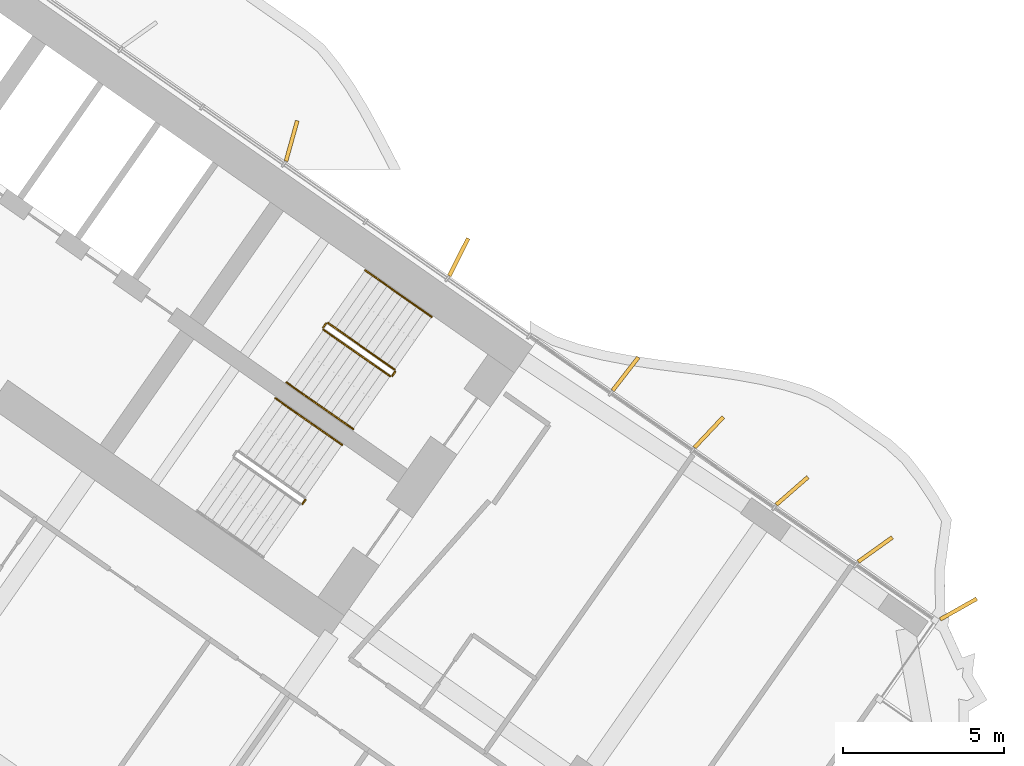
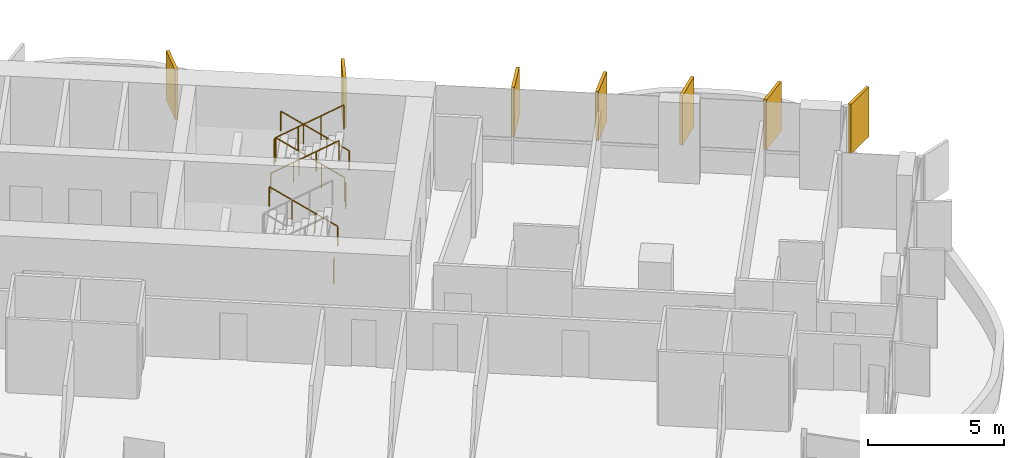
# One storey, part 23 of 23: 8 railings, 7 shading devices.
"""IFC4 building model written with IfcOpenShell, lengths in metres."""

from ifc_helpers import new_model, si_unit, direction, frame, origin, origin_2d, place, context, subcontext, project, spatial, rectangle, circle, extrude, material, layer, layer_set, type_object, element, save


model = new_model("IFC4")

# Units and contexts
model_context = context("Model", 3, precision=1e-05, world=origin(), true_north=direction((0.0, 1.0)))
body_context = subcontext(model_context, "Body", "Model", "MODEL_VIEW")
ifc_project = project(units=[si_unit("LENGTHUNIT", "METRE"), si_unit("AREAUNIT", "SQUARE_METRE"), si_unit("VOLUMEUNIT", "CUBIC_METRE"), si_unit("PLANEANGLEUNIT", "RADIAN"), si_unit("MASSUNIT", "GRAM", prefix="KILO")], contexts=[model_context])

# Site, building, storey
site_placement = place(None, origin())
site = spatial("IfcSite", under=ifc_project, at=site_placement, CompositionType="ELEMENT")
building_placement = place(site_placement, origin())
building = spatial("IfcBuilding", under=site, at=building_placement, Name="Tel Ilan Convention Tower", CompositionType="ELEMENT")
storey_placement = place(building_placement, frame((0.0, 0.0, 79.699951171875)))
storey = spatial("IfcBuildingStorey", under=building, at=storey_placement, Name="L15", CompositionType="ELEMENT", Elevation=79.699951171875)

# Shading devices
ifc_material_1 = material(Name="Aluminium, bronze anodised", Category="aluminium")
ifc_layer = layer(ifc_material_1, 0.1201171875)
ifc_layer_set = layer_set([ifc_layer], Name="FIN BRONZE 1300x120")
shading_device_type = type_object("IfcShadingDeviceType", Name="FIN BRONZE 1300x120", PredefinedType="USERDEFINED", material=ifc_layer_set)
for number, where, z_axis, x_axis, name in (
    (1, (25.665771484375, -4.35791015625, 1.10009765625), (0.0, 0.0, 1.0), (0.448799180206, 0.893632640321, 0.0), "FIN"),
    (2, (20.48095703125, -0.750732421875, 1.10009765625), (0.0, 0.0, 1.0), (0.268172612768, 0.963370878614, 0.0), "FIN"),
    (3, (41.176025390625, -15.281005859375, 1.10009765625), (0.0, 0.0, 1.0), (0.870832754082, 0.491579408049, 0.0), "FIN"),
    (4, (38.59375, -13.43359375, 1.10009765625), (0.0, 0.0, 1.0), (0.813552070258, 0.581492071294, 0.0), "FIN"),
    (5, (36.0146484375, -11.6123046875, 1.10009765625), (0.0, 0.0, 1.0), (0.753435896329, 0.657521368568, 0.0), "FIN"),
    (6, (33.4306640625, -9.795166015625, 1.10009765625), (0.0, 0.0, 1.0), (0.686241637865, 0.727373641577, 0.0), "FIN"),
    (7, (30.842529296875, -7.982666015625, 1.10009765625), (0.0, 0.0, 1.0), (0.612600545196, 0.790392669516, 0.0), "FIN"),
):
    element("IfcShadingDevice", number, at=place(storey_placement, frame(where, z_axis=z_axis, x_axis=x_axis)), inside=storey, type_object=shading_device_type, Name=name, ObjectType="FIN", PredefinedType="USERDEFINED", context=body_context, shape_type="SweptSolid", body=[
        extrude(rectangle(XDim=1.300048828125, YDim=0.1201171875, at=origin_2d()), origin(), (0.0, 0.0, 1.0), 2.219970703125),
    ])

# Railings
ifc_material_2 = material(Name="Stainless Steel Grade 316", Category="steel")
railing_type_1 = type_object("IfcRailingType", Name="Stainless Steel Stair Guard 1100 mm", PredefinedType="GUARDRAIL", material=ifc_material_2)
railing_1_placement = place(storey_placement, frame((23.6787109375, -7.8515625, 0.179931640625)))
element("IfcRailing", 8, at=railing_1_placement, inside=storey, type_object=railing_type_1, Name="L15 S3 stair guard 1", PredefinedType="GUARDRAIL", context=body_context, shape_type="SweptSolid", body=[
    extrude(circle(Radius=0.02392578125, at=origin_2d()), frame((0.0, 0.0, 1.076171875), z_axis=(-0.689013013563, 0.482512838948, 0.540779462804), x_axis=(-0.573624882958, -0.819118119475, 0.0)), (0.0, 0.0, 1.0), 2.995849609375),
    extrude(circle(Radius=0.02099609375, at=origin_2d()), origin(), (0.0, 0.0, 1.0), 1.052001953125),
    extrude(circle(Radius=0.02099609375, at=origin_2d()), frame((-0.68798828125, 0.48193359375, 0.5400390625)), (0.0, 0.0, 1.0), 1.052001953125),
    extrude(circle(Radius=0.02099609375, at=origin_2d()), frame((-1.376220703125, 0.963623046875, 1.080078125)), (0.0, 0.0, 1.0), 1.052001953125),
    extrude(circle(Radius=0.02099609375, at=origin_2d()), frame((-2.064208984375, 1.445556640625, 1.6201171875)), (0.0, 0.0, 1.0), 1.052001953125),
])
railing_2_placement = place(storey_placement, frame((21.544921875, -6.41845703125, 1.800048828125)))
element("IfcRailing", 9, at=railing_2_placement, inside=storey, type_object=railing_type_1, Name="L15 S3 stair guard 2", PredefinedType="GUARDRAIL", context=body_context, shape_type="SweptSolid", body=[
    extrude(circle(Radius=0.02392578125, at=origin_2d()), frame((0.0, 0.0, 1.076171875), z_axis=(-0.573353020881, -0.819308436089, 0.0), x_axis=(0.819308436089, -0.573353020881, 0.0)), (0.0, 0.0, 1.0), 0.14990234375),
    extrude(circle(Radius=0.02099609375, at=origin_2d()), origin(), (0.0, 0.0, 1.0), 1.052001953125),
    extrude(circle(Radius=0.02099609375, at=origin_2d()), frame((-0.0859375, -0.122802734375, 0.0)), (0.0, 0.0, 1.0), 1.052001953125),
])
railing_3_placement = place(storey_placement, frame((21.47119140625, -6.61083984375, 1.97998046875)))
element("IfcRailing", 10, at=railing_3_placement, inside=storey, type_object=railing_type_1, Name="L15 S3 stair guard 3", PredefinedType="GUARDRAIL", context=body_context, shape_type="SweptSolid", body=[
    extrude(circle(Radius=0.02392578125, at=origin_2d()), frame((0.0, 0.0, 1.076171875), z_axis=(0.689013013563, -0.482512838948, 0.540779462804), x_axis=(0.573624882958, 0.819118119475, 0.0)), (0.0, 0.0, 1.0), 2.995849609375),
    extrude(circle(Radius=0.02099609375, at=origin_2d()), origin(), (0.0, 0.0, 1.0), 1.052001953125),
    extrude(circle(Radius=0.02099609375, at=origin_2d()), frame((0.68798828125, -0.48193359375, 0.5400390625)), (0.0, 0.0, 1.0), 1.052001953125),
    extrude(circle(Radius=0.02099609375, at=origin_2d()), frame((1.376220703125, -0.963623046875, 1.080078125)), (0.0, 0.0, 1.0), 1.052001953125),
    extrude(circle(Radius=0.02099609375, at=origin_2d()), frame((2.064208984375, -1.445556640625, 1.6201171875)), (0.0, 0.0, 1.0), 1.052001953125),
])
railing_4_placement = place(storey_placement, frame((23.691162109375, -7.921142578125, 0.0)))
element("IfcRailing", 11, at=railing_4_placement, inside=storey, type_object=railing_type_1, Name="L15 S3 stair guard 4", PredefinedType="GUARDRAIL", context=body_context, shape_type="SweptSolid", body=[
    extrude(circle(Radius=0.02392578125, at=origin_2d()), frame((0.0, 0.0, 1.076171875), z_axis=(-0.574444878118, -0.818543268254, 0.0), x_axis=(0.818543268254, -0.574444878118, 0.0)), (0.0, 0.0, 1.0), 0.150146484375),
    extrude(circle(Radius=0.02099609375, at=origin_2d()), origin(), (0.0, 0.0, 1.0), 1.052001953125),
    extrude(circle(Radius=0.02099609375, at=origin_2d()), frame((-0.086181640625, -0.122802734375, 0.0)), (0.0, 0.0, 1.0), 1.052001953125),
])
railing_5_placement = place(storey_placement, frame((20.9091796875, -11.89404296875, 0.0)))
element("IfcRailing", 12, at=railing_5_placement, inside=storey, type_object=railing_type_1, Name="L15 S4 stair guard 4", PredefinedType="GUARDRAIL", context=body_context, shape_type="SweptSolid", body=[
    extrude(circle(Radius=0.02392578125, at=origin_2d()), frame((0.0, 0.0, 1.076171875), z_axis=(-0.573353020881, -0.819308436089, 0.0), x_axis=(0.819308436089, -0.573353020881, 0.0)), (0.0, 0.0, 1.0), 0.14990234375),
    extrude(circle(Radius=0.02099609375, at=origin_2d()), origin(), (0.0, 0.0, 1.0), 1.052001953125),
    extrude(circle(Radius=0.02099609375, at=origin_2d()), frame((-0.0859375, -0.122802734375, 0.0)), (0.0, 0.0, 1.0), 1.052001953125),
])
ifc_material_3 = material(Name="Stainless Steel Grade 316", Category="steel")
railing_type_2 = type_object("IfcRailingType", Name="Stainless Steel Stair Handrail 900 mm", PredefinedType="HANDRAIL", material=ifc_material_3)
railing_6_placement = place(storey_placement, frame((24.825927734375, -6.213134765625, 0.179931640625)))
element("IfcRailing", 13, at=railing_6_placement, inside=storey, type_object=railing_type_2, Name="L15 S3 stair handrail 1", PredefinedType="HANDRAIL", context=body_context, shape_type="SweptSolid", body=[
    extrude(circle(Radius=0.02392578125, at=origin_2d()), frame((0.0, 0.0, 0.8759765625), z_axis=(-0.689040105437, 0.482450316285, 0.54080072616), x_axis=(-0.573559875649, -0.819163639968, 0.0)), (0.0, 0.0, 1.0), 2.995849609375),
    extrude(circle(Radius=0.02099609375, at=origin_2d()), origin(), (0.0, 0.0, 1.0), 0.851806640625),
    extrude(circle(Radius=0.02099609375, at=origin_2d()), frame((-0.68798828125, 0.481689453125, 0.5400390625)), (0.0, 0.0, 1.0), 0.851806640625),
    extrude(circle(Radius=0.02099609375, at=origin_2d()), frame((-1.376220703125, 0.963623046875, 1.080078125)), (0.0, 0.0, 1.0), 0.851806640625),
    extrude(circle(Radius=0.02099609375, at=origin_2d()), frame((-2.064208984375, 1.4453125, 1.6201171875)), (0.0, 0.0, 1.0), 0.851806640625),
])
railing_7_placement = place(storey_placement, frame((20.323974609375, -8.249267578125, 1.97998046875)))
element("IfcRailing", 14, at=railing_7_placement, inside=storey, type_object=railing_type_2, Name="L15 S3 stair handrail 2", PredefinedType="HANDRAIL", context=body_context, shape_type="SweptSolid", body=[
    extrude(circle(Radius=0.02392578125, at=origin_2d()), frame((0.0, 0.0, 0.8759765625), z_axis=(0.689040105437, -0.482450316285, 0.54080072616), x_axis=(0.573559875649, 0.819163639968, 0.0)), (0.0, 0.0, 1.0), 2.995849609375),
    extrude(circle(Radius=0.02099609375, at=origin_2d()), origin(), (0.0, 0.0, 1.0), 0.851806640625),
    extrude(circle(Radius=0.02099609375, at=origin_2d()), frame((0.68798828125, -0.481689453125, 0.5400390625)), (0.0, 0.0, 1.0), 0.851806640625),
    extrude(circle(Radius=0.02099609375, at=origin_2d()), frame((1.376220703125, -0.963623046875, 1.080078125)), (0.0, 0.0, 1.0), 0.851806640625),
    extrude(circle(Radius=0.02099609375, at=origin_2d()), frame((2.064208984375, -1.4453125, 1.6201171875)), (0.0, 0.0, 1.0), 0.851806640625),
])
railing_8_placement = place(storey_placement, frame((22.044189453125, -10.18603515625, 0.179931640625)))
element("IfcRailing", 15, at=railing_8_placement, inside=storey, type_object=railing_type_2, Name="L15 S4 stair handrail 1", PredefinedType="HANDRAIL", context=body_context, shape_type="SweptSolid", body=[
    extrude(circle(Radius=0.02392578125, at=origin_2d()), frame((0.0, 0.0, 0.8759765625), z_axis=(-0.689082904933, 0.482423225781, 0.540770359169), x_axis=(-0.573514357932, -0.81919550856, 0.0)), (0.0, 0.0, 1.0), 2.995849609375),
    extrude(circle(Radius=0.02099609375, at=origin_2d()), origin(), (0.0, 0.0, 1.0), 0.851806640625),
    extrude(circle(Radius=0.02099609375, at=origin_2d()), frame((-0.688232421875, 0.481689453125, 0.5400390625)), (0.0, 0.0, 1.0), 0.851806640625),
    extrude(circle(Radius=0.02099609375, at=origin_2d()), frame((-1.376220703125, 0.963623046875, 1.080078125)), (0.0, 0.0, 1.0), 0.851806640625),
    extrude(circle(Radius=0.02099609375, at=origin_2d()), frame((-2.064453125, 1.4453125, 1.6201171875)), (0.0, 0.0, 1.0), 0.851806640625),
])

save(model, "model.ifc")
